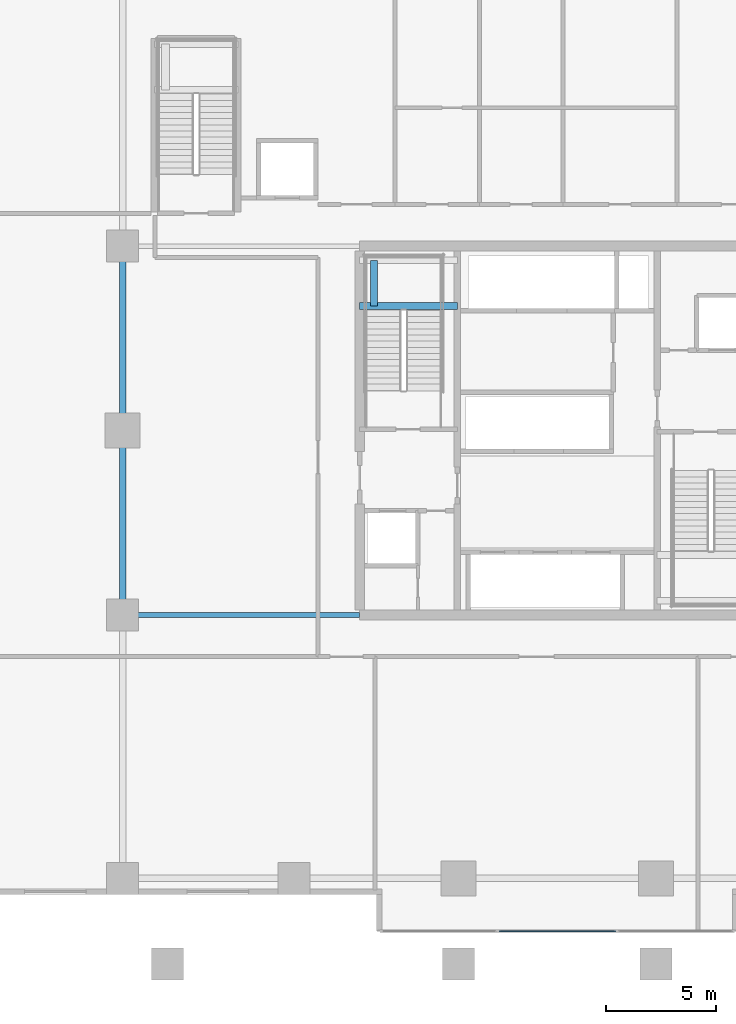
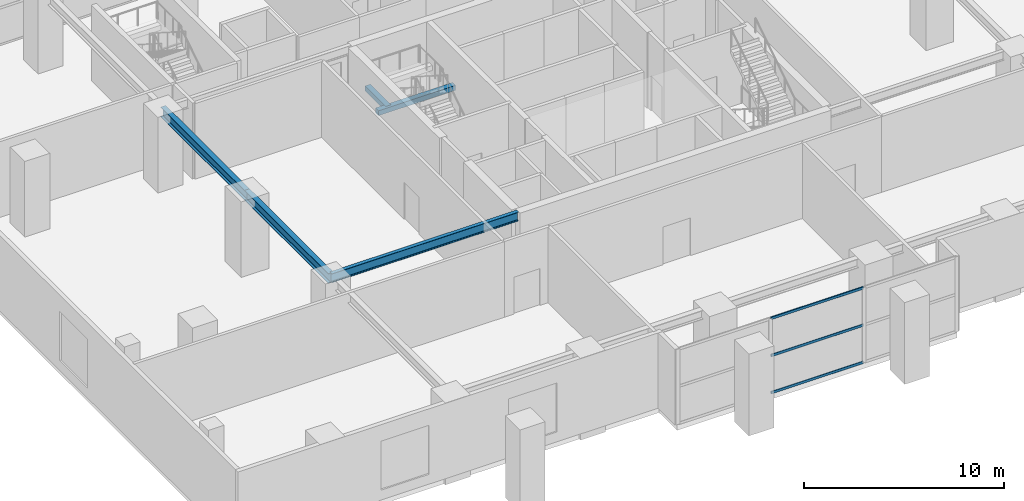
# One storey, part 3 of 20: 5 beams, 3 members, 1 element without a shape of its own.
"""IFC4 building model written with IfcOpenShell, lengths in metres."""

from ifc_helpers import new_model, si_unit, direction, frame, origin, origin_2d, place, context, subcontext, project, spatial, rectangle, hollow_rectangle, i_section, extrude, source, transform, mapped, material, layer, layer_set, material_profile, profile_set, type_object, element, aggregate, save


model = new_model("IFC4")

# Units and contexts
model_context = context("Model", 3, precision=1e-05, world=origin(), true_north=direction((0.0, 1.0)))
body_context = subcontext(model_context, "Body", "Model", "MODEL_VIEW")
ifc_project = project(units=[si_unit("LENGTHUNIT", "METRE"), si_unit("AREAUNIT", "SQUARE_METRE"), si_unit("VOLUMEUNIT", "CUBIC_METRE"), si_unit("PLANEANGLEUNIT", "RADIAN"), si_unit("MASSUNIT", "GRAM", prefix="KILO")], contexts=[model_context])

# Site, building, storey
site_placement = place(None, origin())
site = spatial("IfcSite", under=ifc_project, at=site_placement, CompositionType="ELEMENT")
building_placement = place(site_placement, origin())
building = spatial("IfcBuilding", under=site, at=building_placement, Name="Serunith Strait Residences", CompositionType="ELEMENT")
storey_placement = place(building_placement, frame((0.0, 0.0, 5.5)))
storey = spatial("IfcBuildingStorey", under=building, at=storey_placement, Name="L01", CompositionType="ELEMENT", Elevation=5.5)

# Beams
ifc_material_1 = material(Name="Steel S355J2", Category="steel")
ifc_material_profile_1 = material_profile(ifc_material_1, i_section(OverallWidth=0.300048828125, OverallDepth=0.60009765625, WebThickness=0.015380859375, FlangeThickness=0.030029296875, FilletRadius=0.027099609375, at=origin_2d()), Name="HEB 600")
ifc_profile_set_1 = profile_set([ifc_material_profile_1], Name="Steel S355J2")
beam_type_1 = type_object("IfcBeamType", Name="BM-HEB600", PredefinedType="BEAM", material=ifc_profile_set_1)
shared_shape_1 = source(origin(), body_context, "Body", "SweptSolid", [
    extrude(i_section(OverallWidth=0.300048828125, OverallDepth=0.60009765625, WebThickness=0.015380859375, FlangeThickness=0.030029296875, FilletRadius=0.027099609375, at=origin_2d()), origin(), (0.0, 0.0, 1.0), 8.39990234375),
])
beam_1_placement = place(storey_placement, frame((12.60009765625, 16.800048828125, 4.31689453125), z_axis=(0.0, 1.0, 0.0), x_axis=(-1.0, 0.0, 0.0)))
element("IfcBeam", 1, at=beam_1_placement, inside=storey, type_object=beam_type_1, Name="BM-L01-12", PredefinedType="BEAM", context=body_context, shape_type="MappedRepresentation", body=[
    mapped(shared_shape_1, transform((0.0, 0.0, 0.0), scale=1.0)),
])
shared_shape_2 = source(origin(), body_context, "Body", "SweptSolid", [
    extrude(i_section(OverallWidth=0.300048828125, OverallDepth=0.60009765625, WebThickness=0.015380859375, FlangeThickness=0.030029296875, FilletRadius=0.027099609375, at=origin_2d()), origin(), (0.0, 0.0, 1.0), 8.400146484375),
])
beam_2_placement = place(storey_placement, frame((12.60009765625, 25.199951171875, 4.31689453125), z_axis=(0.0, 1.0, 0.0), x_axis=(-1.0, 0.0, 0.0)))
element("IfcBeam", 2, at=beam_2_placement, inside=storey, type_object=beam_type_1, Name="BM-L01-13", PredefinedType="BEAM", context=body_context, shape_type="MappedRepresentation", body=[
    mapped(shared_shape_2, transform((0.0, 0.0, 0.0), scale=1.0)),
])
ifc_material_profile_2 = material_profile(ifc_material_1, i_section(OverallWidth=0.2099609375, OverallDepth=0.550048828125, WebThickness=0.010986328125, FlangeThickness=0.01708984375, FilletRadius=0.02392578125, at=origin_2d()), Name="IPE 550")
ifc_profile_set_2 = profile_set([ifc_material_profile_2], Name="Steel S355J2")
beam_type_2 = type_object("IfcBeamType", Name="BM-IPE550", PredefinedType="BEAM", material=ifc_profile_set_2)
shared_shape_3 = source(origin(), body_context, "Body", "SweptSolid", [
    extrude(i_section(OverallWidth=0.2099609375, OverallDepth=0.550048828125, WebThickness=0.010986328125, FlangeThickness=0.01708984375, FilletRadius=0.02392578125, at=origin_2d()), origin(), (0.0, 0.0, 1.0), 10.7998046875),
])
beam_3_placement = place(storey_placement, frame((12.60009765625, 16.800048828125, 4.342041015625), z_axis=(1.0, 0.0, 0.0), x_axis=(0.0, 1.0, 0.0)))
element("IfcBeam", 3, at=beam_3_placement, inside=storey, type_object=beam_type_2, Name="BM-L01-19", PredefinedType="BEAM", context=body_context, shape_type="MappedRepresentation", body=[
    mapped(shared_shape_3, transform((0.0, 0.0, 0.0), scale=1.0)),
])
ifc_material_2 = material(Name="Concrete C60/75", Category="concrete")
ifc_material_profile_3 = material_profile(ifc_material_2, rectangle(XDim=0.300048828125, YDim=0.300048828125, at=origin_2d()), Name="RC 300x300")
ifc_profile_set_3 = profile_set([ifc_material_profile_3], Name="Concrete C60/75")
beam_type_3 = type_object("IfcBeamType", Name="BM-LAND-300x300", PredefinedType="BEAM", material=ifc_profile_set_3)
shared_shape_4 = source(origin(), body_context, "Body", "SweptSolid", [
    extrude(rectangle(XDim=0.300048828125, YDim=0.300048828125, at=origin_2d()), origin(), (0.0, 0.0, 1.0), 4.4501953125),
])
beam_4_placement = place(storey_placement, frame((23.39990234375, 30.8701171875, 2.14990234375), z_axis=(1.0, 0.0, 0.0), x_axis=(0.0, 1.0, 0.0)))
element("IfcBeam", 4, at=beam_4_placement, inside=storey, type_object=beam_type_3, Name="L01 ST-1 Landing Support Beam 1", PredefinedType="BEAM", context=body_context, shape_type="MappedRepresentation", body=[
    mapped(shared_shape_4, transform((0.0, 0.0, 0.0), scale=1.0)),
])
shared_shape_5 = source(origin(), body_context, "Body", "SweptSolid", [
    extrude(rectangle(XDim=0.300048828125, YDim=0.300048828125, at=origin_2d()), origin(), (0.0, 0.0, 1.0), 2.079833984375),
])
beam_5_placement = place(storey_placement, frame((24.050048828125, 30.8701171875, 2.14990234375), z_axis=(0.0, 1.0, 0.0), x_axis=(-1.0, 0.0, 0.0)))
element("IfcBeam", 5, at=beam_5_placement, inside=storey, type_object=beam_type_3, Name="L01 ST-1 Landing Transverse Tie Beam", PredefinedType="BEAM", context=body_context, shape_type="MappedRepresentation", body=[
    mapped(shared_shape_5, transform((0.0, 0.0, 0.0), scale=1.0)),
])

# Curtain wall, members
ifc_material_3 = material(Name="Pale-Champagne Anodised Aluminium", Category="aluminium")
ifc_layer = layer(ifc_material_3, 0.199951171875, Name="Pale-Champagne Anodised Aluminium")
ifc_layer_set = layer_set([ifc_layer], Name="Pale-Champagne Anodised Aluminium")
curtain_wall_type = type_object("IfcCurtainWallType", Name="CW-SYS6", PredefinedType="NOTDEFINED", material=ifc_layer_set)
curtain_wall_placement = place(storey_placement, origin())
curtain_wall = element("IfcCurtainWall", 6, at=curtain_wall_placement, inside=storey, type_object=curtain_wall_type, Name="L01 Podium Galleria Curtain Wall 3A", PredefinedType="NOTDEFINED")
ifc_material_profile_4 = material_profile(ifc_material_3, hollow_rectangle(XDim=0.06005859375, YDim=0.159912109375, WallThickness=0.00341796875, InnerFilletRadius=0.00537109375, OuterFilletRadius=0.0087890625, at=origin_2d()), Name="ALU 160x60x3.5")
ifc_profile_set_4 = profile_set([ifc_material_profile_4], Name="Pale-Champagne Anodised Aluminium")
member_type = type_object("IfcMemberType", Name="CW-SYS6-TRAN", PredefinedType="USERDEFINED", material=ifc_profile_set_4)
shared_shape_6 = source(origin(), body_context, "Body", "SweptSolid", [
    extrude(hollow_rectangle(XDim=0.06005859375, YDim=0.159912109375, WallThickness=0.00341796875, InnerFilletRadius=0.00537109375, OuterFilletRadius=0.0087890625, at=origin_2d()), origin(), (0.0, 0.0, 1.0), 5.324951171875),
])
member_1_placement = place(storey_placement, frame((29.737548828125, 2.39990234375, 0.030029296875), z_axis=(1.0, 0.0, 0.0), x_axis=(0.0, 1.0, 0.0)))
member_1 = element("IfcMember", 7, at=member_1_placement, type_object=member_type, Name="CW-6 transom 2.1", ObjectType="TRANSOM", PredefinedType="USERDEFINED", context=body_context, shape_type="MappedRepresentation", body=[
    mapped(shared_shape_6, transform((0.0, 0.0, 0.0), scale=1.0)),
])
member_2_placement = place(storey_placement, frame((29.737548828125, 2.39990234375, 2.302490234375), z_axis=(1.0, 0.0, 0.0), x_axis=(0.0, 1.0, 0.0)))
member_2 = element("IfcMember", 8, at=member_2_placement, type_object=member_type, Name="CW-6 transom 2.2", ObjectType="TRANSOM", PredefinedType="USERDEFINED", context=body_context, shape_type="MappedRepresentation", body=[
    mapped(shared_shape_6, transform((0.0, 0.0, 0.0), scale=1.0)),
])
member_3_placement = place(storey_placement, frame((29.737548828125, 2.39990234375, 4.574951171875), z_axis=(1.0, 0.0, 0.0), x_axis=(0.0, 1.0, 0.0)))
member_3 = element("IfcMember", 9, at=member_3_placement, type_object=member_type, Name="CW-6 transom 2.3", ObjectType="TRANSOM", PredefinedType="USERDEFINED", context=body_context, shape_type="MappedRepresentation", body=[
    mapped(shared_shape_6, transform((0.0, 0.0, 0.0), scale=1.0)),
])
aggregate(curtain_wall, [member_1, member_2, member_3])

save(model, "model.ifc")
